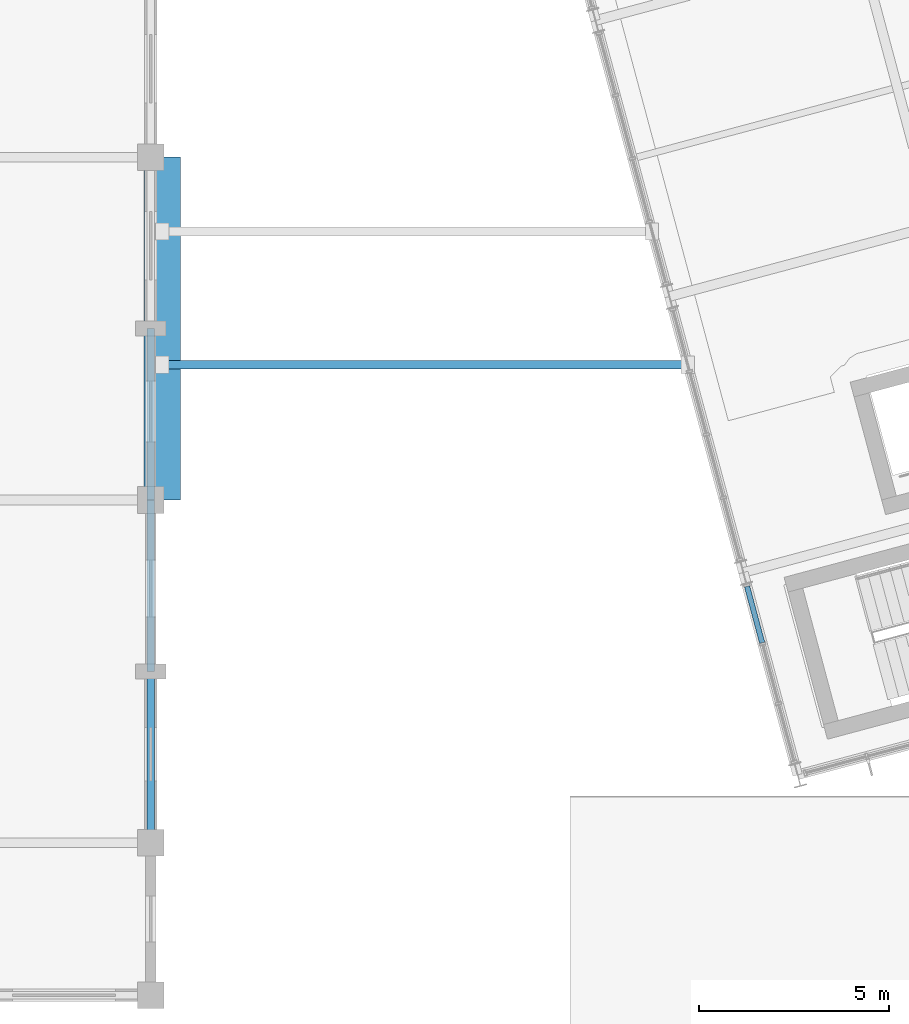
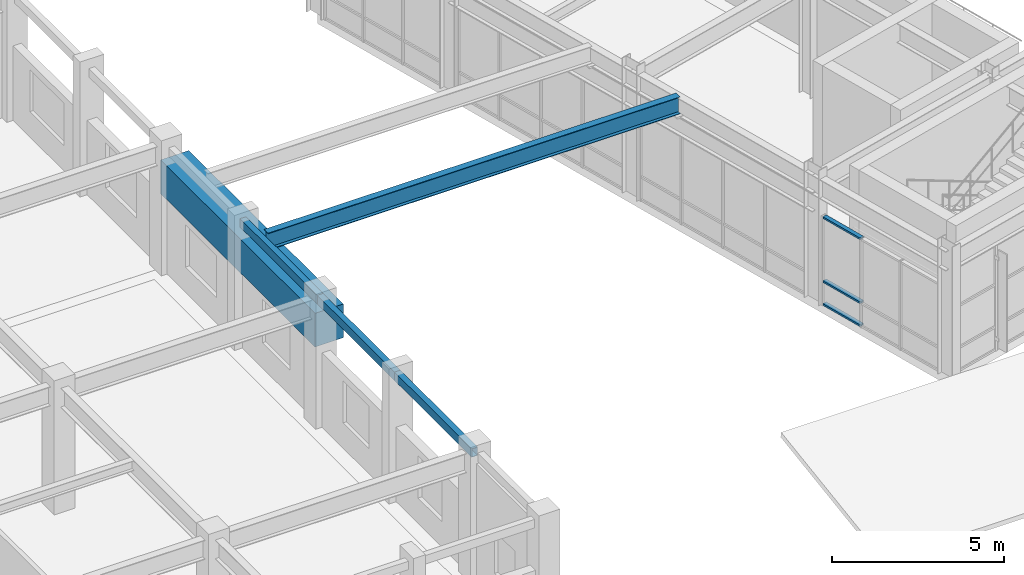
# One storey, part 32 of 104: 5 beams, 3 members, 1 element without a shape of its own.
"""IFC4 building model written with IfcOpenShell, lengths in metres."""

from ifc_helpers import new_model, si_unit, direction, frame, origin, origin_2d, place, context, subcontext, project, spatial, rectangle, hollow_rectangle, i_section, extrude, material, layer, layer_set, material_profile, profile_set, type_object, element, aggregate, save


model = new_model("IFC4")

# Units and contexts
model_context = context("Model", 3, precision=1e-05, world=origin(), true_north=direction((0.0, 1.0)))
body_context = subcontext(model_context, "Body", "Model", "MODEL_VIEW")
ifc_project = project(units=[si_unit("LENGTHUNIT", "METRE"), si_unit("AREAUNIT", "SQUARE_METRE"), si_unit("VOLUMEUNIT", "CUBIC_METRE"), si_unit("PLANEANGLEUNIT", "RADIAN"), si_unit("MASSUNIT", "GRAM", prefix="KILO")], contexts=[model_context])

# Site, building, storey
site_placement = place(None, origin())
site = spatial("IfcSite", under=ifc_project, at=site_placement, CompositionType="ELEMENT")
building_placement = place(site_placement, origin())
building = spatial("IfcBuilding", under=site, at=building_placement, Name="Ventoquebrada Cableway Terminal", CompositionType="ELEMENT")
storey_placement = place(building_placement, frame((0.0, 0.0, 4.800048828125)))
storey = spatial("IfcBuildingStorey", under=building, at=storey_placement, Name="L01", CompositionType="ELEMENT", Elevation=4.800048828125)

# Beams
ifc_material_1 = material(Name="Concrete C40/50", Category="concrete")
ifc_material_profile_1 = material_profile(ifc_material_1, rectangle(XDim=0.949951171875, YDim=1.199951171875, at=origin_2d()), Name="RC-BM-950X1200")
ifc_profile_set_1 = profile_set([ifc_material_profile_1], Name="Concrete C40/50")
beam_type_1 = type_object("IfcBeamType", Name="BM-RC06", PredefinedType="BEAM", material=ifc_profile_set_1)
beam_1_placement = place(storey_placement, frame((35.300048828125, 77.0, 3.2529296875), z_axis=(0.0, 1.0, 0.0), x_axis=(-1.0, 0.0, 0.0)))
element("IfcBeam", 1, at=beam_1_placement, inside=storey, type_object=beam_type_1, Name="Seismic joint corbel girder LP-2 FBM-1106", PredefinedType="BEAM", context=body_context, shape_type="SweptSolid", body=[
    extrude(rectangle(XDim=0.949951171875, YDim=1.199951171875, at=origin_2d()), origin(), (0.0, 0.0, 1.0), 9.0),
])
ifc_material_2 = material(Name="Steel ASTM A992 Grade 50", Category="steel")
ifc_material_profile_2 = material_profile(ifc_material_2, i_section(OverallWidth=0.22900390625, OverallDepth=0.612060546875, WebThickness=0.011962890625, FlangeThickness=0.01953125, at=origin_2d()), Name="W24X84")
ifc_profile_set_2 = profile_set([ifc_material_profile_2], Name="Steel ASTM A992 Grade 50")
beam_type_2 = type_object("IfcBeamType", Name="BM-ST02", PredefinedType="BEAM", material=ifc_profile_set_2)
beam_2_placement = place(storey_placement, frame((35.22509765625, 80.550048828125, 4.1689453125), z_axis=(1.0, 0.0, 0.0), x_axis=(0.0, 1.0, 0.0)))
element("IfcBeam", 2, at=beam_2_placement, inside=storey, type_object=beam_type_2, Name="Link bridge girder LP-2 FBM-1110", PredefinedType="BEAM", context=body_context, shape_type="SweptSolid", body=[
    extrude(i_section(OverallWidth=0.22900390625, OverallDepth=0.612060546875, WebThickness=0.011962890625, FlangeThickness=0.01953125, at=origin_2d()), origin(), (0.0, 0.0, 1.0), 13.867919921875),
])

# Curtain wall, members
ifc_material_3 = material(Name="Anodized thermally-broken aluminium", Category="aluminium")
ifc_layer = layer(ifc_material_3, 0.159912109375)
ifc_layer_set = layer_set([ifc_layer], Name="Anodized thermally-broken aluminium")
curtain_wall_type = type_object("IfcCurtainWallType", Name="CW-T38", PredefinedType="USERDEFINED", material=ifc_layer_set)
curtain_wall_placement = place(storey_placement, origin())
curtain_wall = element("IfcCurtainWall", 3, at=curtain_wall_placement, inside=storey, type_object=curtain_wall_type, Name="Unitised glazed curtain wall CW-093", ObjectType="UNITISED CURTAIN WALL", PredefinedType="USERDEFINED")
ifc_material_profile_3 = material_profile(ifc_material_3, hollow_rectangle(XDim=0.06494140625, YDim=0.139892578125, WallThickness=0.00390625, at=origin_2d()), Name="CW-TRN-65X140")
ifc_profile_set_3 = profile_set([ifc_material_profile_3], Name="Anodized thermally-broken aluminium")
member_type = type_object("IfcMemberType", Name="CWT-01", PredefinedType="USERDEFINED", material=ifc_profile_set_3)
member_1_placement = place(storey_placement, frame((50.652099609375, 74.73193359375, 0.034912109375), z_axis=(0.258911184026, -0.965901133029, 0.0), x_axis=(0.0, 0.0, 1.0)))
member_1 = element("IfcMember", 4, at=member_1_placement, type_object=member_type, Name="Curtain wall transom FTR-1352", ObjectType="TRANSOM", PredefinedType="USERDEFINED", context=body_context, shape_type="SweptSolid", body=[
    extrude(hollow_rectangle(XDim=0.06494140625, YDim=0.139892578125, WallThickness=0.00390625, at=origin_2d()), origin(), (0.0, 0.0, 1.0), 1.533203125),
])
member_2_placement = place(storey_placement, frame((50.652099609375, 74.73193359375, 0.849853515625), z_axis=(0.258911184026, -0.965901133029, 0.0), x_axis=(0.0, 0.0, 1.0)))
member_2 = element("IfcMember", 5, at=member_2_placement, type_object=member_type, Name="Curtain wall transom FTR-1353", ObjectType="TRANSOM", PredefinedType="USERDEFINED", context=body_context, shape_type="SweptSolid", body=[
    extrude(hollow_rectangle(XDim=0.06494140625, YDim=0.139892578125, WallThickness=0.00390625, at=origin_2d()), origin(), (0.0, 0.0, 1.0), 1.533203125),
])
member_3_placement = place(storey_placement, frame((50.652099609375, 74.73193359375, 3.125), z_axis=(0.258911184026, -0.965901133029, 0.0), x_axis=(0.0, 0.0, 1.0)))
member_3 = element("IfcMember", 6, at=member_3_placement, type_object=member_type, Name="Curtain wall transom FTR-1354", ObjectType="TRANSOM", PredefinedType="USERDEFINED", context=body_context, shape_type="SweptSolid", body=[
    extrude(hollow_rectangle(XDim=0.06494140625, YDim=0.139892578125, WallThickness=0.00390625, at=origin_2d()), origin(), (0.0, 0.0, 1.0), 1.533203125),
])
aggregate(curtain_wall, [member_1, member_2, member_3])

# Beams
ifc_material_4 = material(Name="Steel ASTM A500 Grade C", Category="steel")
ifc_material_profile_4 = material_profile(ifc_material_4, hollow_rectangle(XDim=0.199951171875, YDim=0.300048828125, WallThickness=0.012451171875, at=origin_2d()), Name="RHS300X200X12.5")
ifc_profile_set_4 = profile_set([ifc_material_profile_4], Name="Steel ASTM A500 Grade C")
beam_type_3 = type_object("IfcBeamType", Name="SP-ST02", PredefinedType="SPANDREL", material=ifc_profile_set_4)
for number, where, z_axis, x_axis, name in (
    (7, (35.0, 68.0, 4.31494140625), (0.0, 1.0, 0.0), (-1.0, 0.0, 0.0), "Perimeter spandrel beam FBM-0428"),
    (8, (35.0, 72.5, 4.31494140625), (0.0, 1.0, 0.0), (-1.0, 0.0, 0.0), "Perimeter spandrel beam FBM-0429"),
    (9, (35.0, 77.0, 4.31494140625), (0.0, 1.0, 0.0), (-1.0, 0.0, 0.0), "Perimeter spandrel beam FBM-0430"),
):
    element("IfcBeam", number, at=place(storey_placement, frame(where, z_axis=z_axis, x_axis=x_axis)), inside=storey, type_object=beam_type_3, Name=name, PredefinedType="SPANDREL", context=body_context, shape_type="SweptSolid", body=[
        extrude(hollow_rectangle(XDim=0.199951171875, YDim=0.300048828125, WallThickness=0.012451171875, at=origin_2d()), origin(), (0.0, 0.0, 1.0), 4.5),
    ])

save(model, "model.ifc")
